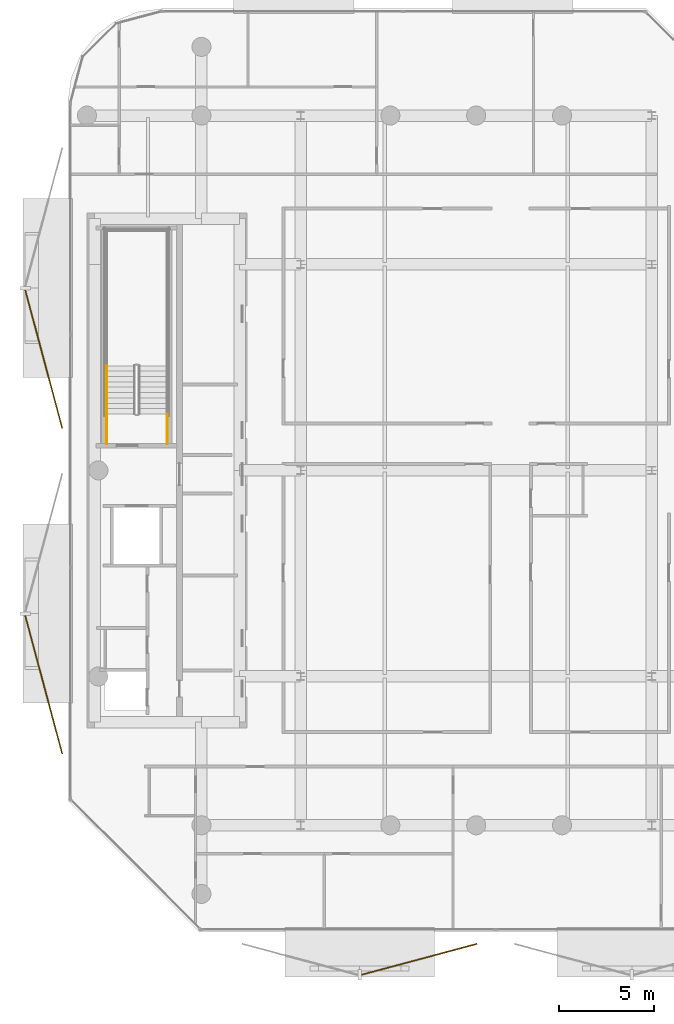
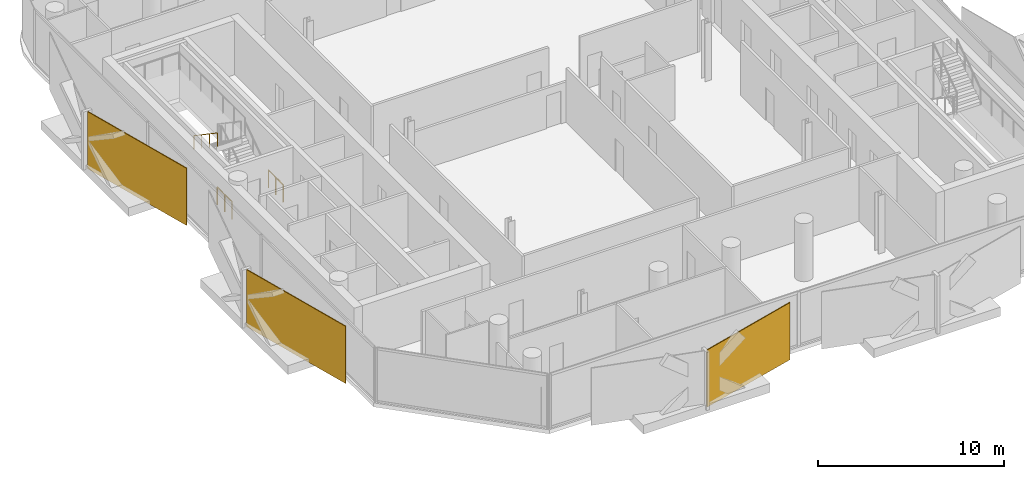
# One storey, part 13 of 16: 3 coverings, 3 railings.
"""IFC4 building model written with IfcOpenShell, lengths in metres."""

from ifc_helpers import new_model, si_unit, direction, frame, origin, origin_2d, place, context, subcontext, project, spatial, rectangle, circle, extrude, material, layer, layer_set, type_object, element, save


model = new_model("IFC4")

# Units and contexts
model_context = context("Model", 3, precision=1e-05, world=origin(), true_north=direction((0.0, 1.0)))
body_context = subcontext(model_context, "Body", "Model", "MODEL_VIEW")
ifc_project = project(units=[si_unit("LENGTHUNIT", "METRE"), si_unit("AREAUNIT", "SQUARE_METRE"), si_unit("VOLUMEUNIT", "CUBIC_METRE"), si_unit("PLANEANGLEUNIT", "RADIAN"), si_unit("MASSUNIT", "GRAM", prefix="KILO")], contexts=[model_context])

# Site, building, storey
site_placement = place(None, origin())
site = spatial("IfcSite", under=ifc_project, at=site_placement, CompositionType="ELEMENT")
building_placement = place(site_placement, origin())
building = spatial("IfcBuilding", under=site, at=building_placement, Name="Khairoan Windgate Tower", CompositionType="ELEMENT")
storey_placement = place(building_placement, frame((0.0, 0.0, 292.800048828125)))
storey = spatial("IfcBuildingStorey", under=building, at=storey_placement, Name="L70", CompositionType="ELEMENT", Elevation=292.800048828125)

# Coverings
ifc_material_1 = material(Name="Anodised Bronze Aluminium 6063-T6", Category="aluminium")
ifc_layer = layer(ifc_material_1, 0.054931640625, Name="Anodised Bronze Aluminium 6063-T6")
ifc_layer_set = layer_set([ifc_layer], Name="Anodised Bronze Aluminium 6063-T6")
covering_type = type_object("IfcCoveringType", Name="Perforated Bronze-Ceramic Folded Solar Screen Cladding BSC-1", PredefinedType="CLADDING", material=ifc_layer_set)
covering_placement = place(storey_placement, frame((-2.9873046875, -25.627685546875, -0.10009765625), z_axis=(0.0, 0.0, 1.0), x_axis=(-0.965925826289, -0.258819045103, 0.0)))
element("IfcCovering", 1, at=covering_placement, inside=storey, type_object=covering_type, Name="L70 Folded Bronze Solar Screen Facet 487L", PredefinedType="CLADDING", context=body_context, shape_type="SweptSolid", body=[
    extrude(rectangle(XDim=6.277099609375, YDim=0.054931640625, at=origin_2d()), origin(), (0.0, 0.0, 1.0), 3.739990234375),
])
for number, where, z_axis, x_axis, name in (
    (2, (-22.668212890625, -11.225341796875, -0.10009765625), (0.0, 0.0, 1.0), (-0.258819045103, 0.965925826289, 0.0), "L70 Folded Bronze Solar Screen Facet 488L"),
    (3, (-22.668212890625, 5.841064453125, -0.10009765625), (0.0, 0.0, 1.0), (-0.258819045103, 0.965925826289, 0.0), "L70 Folded Bronze Solar Screen Facet 489L"),
):
    element("IfcCovering", number, at=place(storey_placement, frame(where, z_axis=z_axis, x_axis=x_axis)), inside=storey, type_object=covering_type, Name=name, PredefinedType="CLADDING", context=body_context, shape_type="SweptSolid", body=[
        extrude(rectangle(XDim=7.509033203125, YDim=0.054931640625, at=origin_2d()), origin(), (0.0, 0.0, 1.0), 3.739990234375),
    ])

# Railings
ifc_material_2 = material(Name="Anodised Bronze Aluminium 6063-T6", Category="aluminium")
railing_type_1 = type_object("IfcRailingType", Name="Stair Wall Handrail SHR-900", PredefinedType="HANDRAIL", material=ifc_material_2)
railing_placement = place(storey_placement, frame((-19.3701171875, 5.47998046875, 2.08984375)))
element("IfcRailing", 4, at=railing_placement, inside=storey, type_object=railing_type_1, Name="L70 ST2 stair handrail 2", PredefinedType="HANDRAIL", context=body_context, shape_type="SweptSolid", body=[
    extrude(circle(Radius=0.02392578125, at=origin_2d()), frame((0.0, 0.0, 0.8759765625), z_axis=(0.0, -0.82744650838, 0.561544544778), x_axis=(1.0, 0.0, 0.0)), (0.0, 0.0, 1.0), 3.045654296875),
    extrude(circle(Radius=0.02099609375, at=origin_2d()), origin(), (0.0, 0.0, 1.0), 0.851806640625),
    extrude(circle(Radius=0.02099609375, at=origin_2d()), frame((0.0, -0.840087890625, 0.570068359375)), (0.0, 0.0, 1.0), 0.851806640625),
    extrude(circle(Radius=0.02099609375, at=origin_2d()), frame((0.0, -1.679931640625, 1.14013671875)), (0.0, 0.0, 1.0), 0.851806640625),
    extrude(circle(Radius=0.02099609375, at=origin_2d()), frame((0.0, -2.52001953125, 1.710205078125)), (0.0, 0.0, 1.0), 0.851806640625),
])
ifc_material_3 = material(Name="Steel S355", Category="steel")
railing_type_2 = type_object("IfcRailingType", Name="Stairwell Safety Guardrail SGR-1150", PredefinedType="GUARDRAIL", material=ifc_material_3)
for number, where, name in (
    (5, (-16.199951171875, 1.39990234375, 0.0), "L70 ST2 stair guard 8"),
    (6, (-19.3701171875, 1.39990234375, 0.0), "L70 ST2 stair guard 9"),
):
    element("IfcRailing", number, at=place(storey_placement, frame(where)), inside=storey, type_object=railing_type_2, Name=name, PredefinedType="GUARDRAIL", context=body_context, shape_type="SweptSolid", body=[
        extrude(circle(Radius=0.02392578125, at=origin_2d()), frame((0.0, 0.0, 1.1259765625), z_axis=(0.0, 1.0, 0.0), x_axis=(-1.0, 0.0, 0.0)), (0.0, 0.0, 1.0), 1.56005859375),
        extrude(circle(Radius=0.02099609375, at=origin_2d()), origin(), (0.0, 0.0, 1.0), 1.101806640625),
        extrude(circle(Radius=0.02099609375, at=origin_2d()), frame((0.0, 0.780029296875, 0.0)), (0.0, 0.0, 1.0), 1.101806640625),
        extrude(circle(Radius=0.02099609375, at=origin_2d()), frame((0.0, 1.56005859375, 0.0)), (0.0, 0.0, 1.0), 1.101806640625),
    ])

save(model, "model.ifc")
